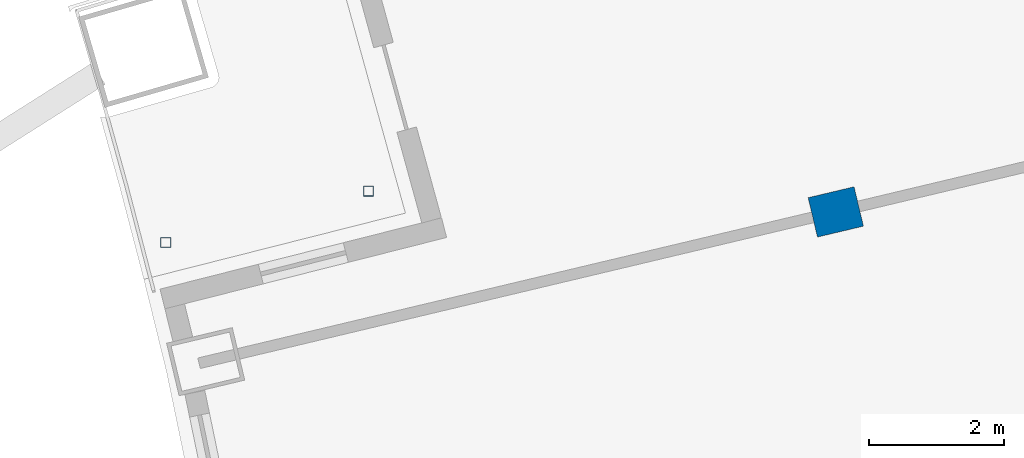
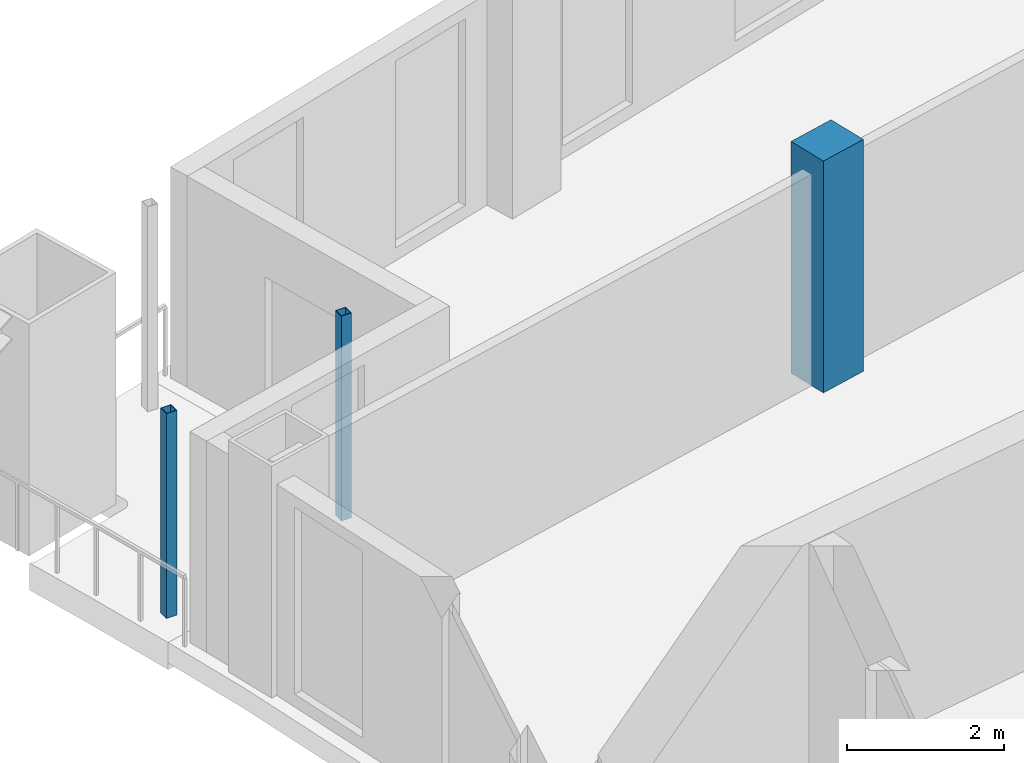
# One storey, part 3 of 16: 3 columns.
"""IFC4 building model written with IfcOpenShell, lengths in metres."""

from ifc_helpers import new_model, si_unit, direction, frame, origin, origin_2d, place, context, subcontext, project, spatial, rectangle, hollow_rectangle, extrude, material, material_profile, profile_set, type_object, element, save


model = new_model("IFC4")

# Units and contexts
model_context = context("Model", 3, precision=1e-05, world=origin(), true_north=direction((0.0, 1.0)))
body_context = subcontext(model_context, "Body", "Model", "MODEL_VIEW")
ifc_project = project(units=[si_unit("LENGTHUNIT", "METRE"), si_unit("AREAUNIT", "SQUARE_METRE"), si_unit("VOLUMEUNIT", "CUBIC_METRE"), si_unit("PLANEANGLEUNIT", "RADIAN"), si_unit("MASSUNIT", "GRAM", prefix="KILO")], contexts=[model_context])

# Site, building, storey
site_placement = place(None, origin())
site = spatial("IfcSite", under=ifc_project, at=site_placement, CompositionType="ELEMENT")
building_placement = place(site_placement, origin())
building = spatial("IfcBuilding", under=site, at=building_placement, Name="Alderwake Tower", CompositionType="ELEMENT")
storey_placement = place(building_placement, frame((0.0, 0.0, 281.60009765625)))
storey = spatial("IfcBuildingStorey", under=building, at=storey_placement, Name="L70", CompositionType="ELEMENT", Elevation=281.60009765625)

# Columns
ifc_material_1 = material(Name="Concrete C70/85", Category="concrete")
ifc_material_profile_1 = material_profile(ifc_material_1, rectangle(XDim=0.60009765625, YDim=0.699951171875, at=origin_2d()), Name="RC 700X600")
ifc_profile_set_1 = profile_set([ifc_material_profile_1], Name="Concrete C70/85")
column_type_1 = type_object("IfcColumnType", Name="Interior column Z5", PredefinedType="COLUMN", material=ifc_profile_set_1)
column_placement = place(storey_placement, frame((23.322021484375, 85.555908203125, 0.0), z_axis=(0.0, 0.0, 1.0), x_axis=(-0.231221547198, 0.972901123502, 0.0)))
element("IfcColumn", 1, at=column_placement, inside=storey, type_object=column_type_1, Name="Column R11-C1", PredefinedType="COLUMN", context=body_context, shape_type="SweptSolid", body=[
    extrude(rectangle(XDim=0.60009765625, YDim=0.699951171875, at=origin_2d()), origin(), (0.0, 0.0, 1.0), 3.599853515625),
])
ifc_material_2 = material(Name="Steel ASTM A500 Grade C", Category="steel")
ifc_material_profile_2 = material_profile(ifc_material_2, hollow_rectangle(XDim=0.15234375, YDim=0.15234375, WallThickness=0.0087890625, at=origin_2d()), Name="HSS6X6X3/8")
ifc_profile_set_2 = profile_set([ifc_material_profile_2], Name="Steel ASTM A500 Grade C")
column_type_2 = type_object("IfcColumnType", Name="Light post HSS6X6X3/8", PredefinedType="COLUMN", material=ifc_profile_set_2)
for number, where, z_axis, x_axis, name in (
    (2, (13.3896484375, 85.103515625, 0.0), (0.0, 0.0, 1.0), (1.0, 0.0, 0.0), "Terrace post RN1"),
    (3, (16.39501953125, 85.864013671875, 0.0), (0.0, 0.0, 1.0), (1.0, 0.0, 0.0), "Terrace post RN3"),
):
    element("IfcColumn", number, at=place(storey_placement, frame(where, z_axis=z_axis, x_axis=x_axis)), inside=storey, type_object=column_type_2, Name=name, PredefinedType="COLUMN", context=body_context, shape_type="SweptSolid", body=[
        extrude(hollow_rectangle(XDim=0.15234375, YDim=0.15234375, WallThickness=0.0087890625, at=origin_2d()), origin(), (0.0, 0.0, 1.0), 3.179931640625),
    ])

save(model, "model.ifc")
